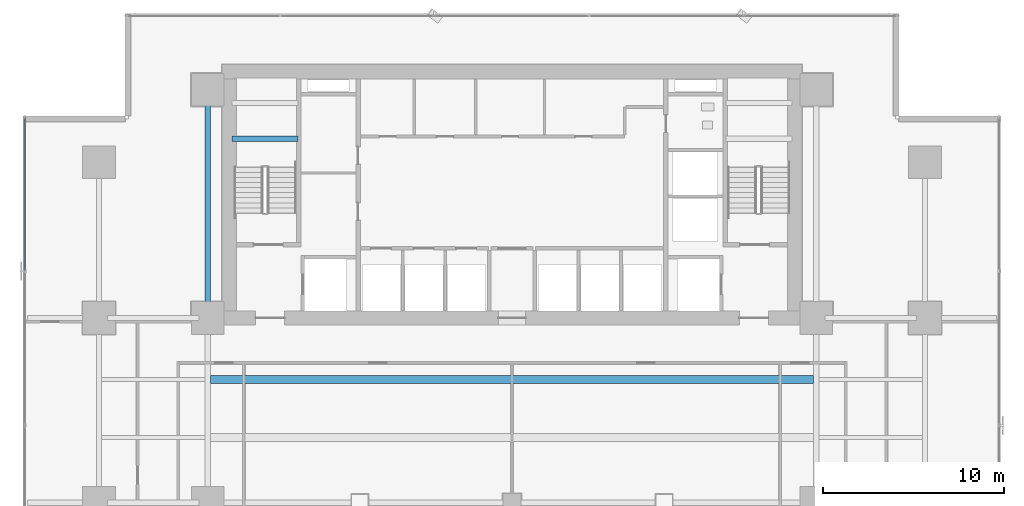
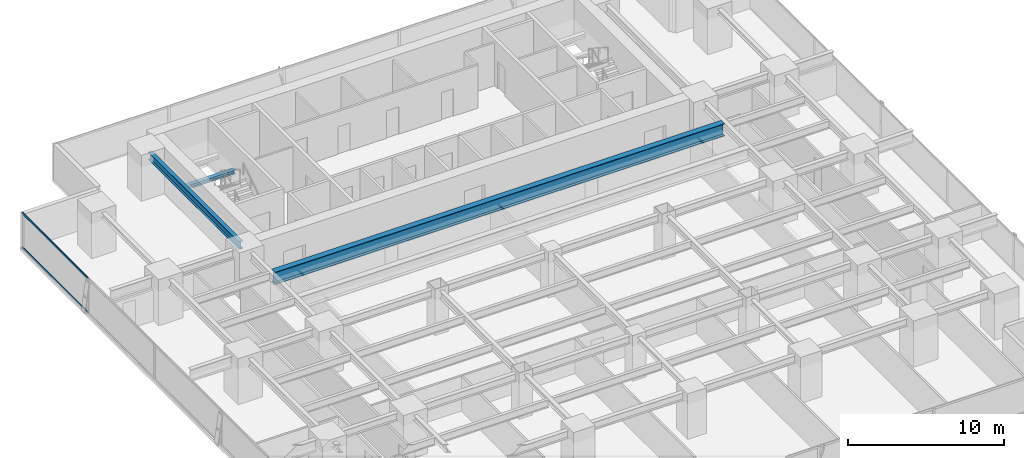
# One storey, part 17 of 33: 3 beams, 2 members, 1 element without a shape of its own.
"""IFC4 building model written with IfcOpenShell, lengths in metres."""

from ifc_helpers import new_model, si_unit, direction, frame, origin, origin_2d, place, context, subcontext, project, spatial, hollow_rectangle, i_section, extrude, source, transform, mapped, material, layer, layer_set, material_profile, profile_set, type_object, element, aggregate, save


model = new_model("IFC4")

# Units and contexts
model_context = context("Model", 3, precision=1e-05, world=origin(), true_north=direction((0.0, 1.0)))
body_context = subcontext(model_context, "Body", "Model", "MODEL_VIEW")
ifc_project = project(units=[si_unit("LENGTHUNIT", "METRE"), si_unit("AREAUNIT", "SQUARE_METRE"), si_unit("VOLUMEUNIT", "CUBIC_METRE"), si_unit("PLANEANGLEUNIT", "RADIAN"), si_unit("MASSUNIT", "GRAM", prefix="KILO")], contexts=[model_context])

# Site, building, storey
site_placement = place(None, origin())
site = spatial("IfcSite", under=ifc_project, at=site_placement, CompositionType="ELEMENT")
building_placement = place(site_placement, origin())
building = spatial("IfcBuilding", under=site, at=building_placement, Name="Sumidabori Civic Tower", CompositionType="ELEMENT")
storey_placement = place(building_placement, frame((0.0, 0.0, 38.0)))
storey = spatial("IfcBuildingStorey", under=building, at=storey_placement, Name="L09", CompositionType="ELEMENT", Elevation=38.0)

# Beams
ifc_material_1 = material(Name="Steel SN490", Category="steel")
ifc_material_profile_1 = material_profile(ifc_material_1, i_section(OverallWidth=0.300048828125, OverallDepth=0.300048828125, WebThickness=0.010986328125, FlangeThickness=0.01904296875, at=origin_2d()), Name="HE 300 B")
ifc_profile_set_1 = profile_set([ifc_material_profile_1], Name="Steel SN490")
beam_type_1 = type_object("IfcBeamType", Name="BM-LDG-300", PredefinedType="BEAM", material=ifc_profile_set_1)
shared_shape_1 = source(origin(), body_context, "Body", "SweptSolid", [
    extrude(i_section(OverallWidth=0.300048828125, OverallDepth=0.300048828125, WebThickness=0.010986328125, FlangeThickness=0.01904296875, at=origin_2d()), origin(), (0.0, 0.0, 1.0), 3.64990234375),
])
beam_1_placement = place(storey_placement, frame((-15.449951171875, 20.09765625, 1.449951171875), z_axis=(1.0, 0.0, 0.0), x_axis=(0.0, 1.0, 0.0)))
element("IfcBeam", 1, at=beam_1_placement, inside=storey, type_object=beam_type_1, Name="Stair ST-1 Landing Support Beam L09-1A", PredefinedType="BEAM", context=body_context, shape_type="MappedRepresentation", body=[
    mapped(shared_shape_1, transform((0.0, 0.0, 0.0), x_axis=(1.0, 0.0, 0.0), y_axis=(0.0, 1.0, 0.0), z_axis=(0.0, 0.0, 1.0), scale=1.0)),
])
ifc_material_profile_2 = material_profile(ifc_material_1, i_section(OverallWidth=0.300048828125, OverallDepth=0.60009765625, WebThickness=0.015380859375, FlangeThickness=0.030029296875, at=origin_2d()), Name="HE 600 B")
ifc_profile_set_2 = profile_set([ifc_material_profile_2], Name="Steel SN490")
beam_type_2 = type_object("IfcBeamType", Name="BM-GIRD-600", PredefinedType="BEAM", material=ifc_profile_set_2)
shared_shape_2 = source(origin(), body_context, "Body", "SweptSolid", [
    extrude(i_section(OverallWidth=0.300048828125, OverallDepth=0.60009765625, WebThickness=0.015380859375, FlangeThickness=0.030029296875, at=origin_2d()), origin(), (0.0, 0.0, 1.0), 11.64013671875),
])
beam_2_placement = place(storey_placement, frame((-16.800048828125, 10.679931640625, 3.06005859375), z_axis=(0.0, 1.0, 0.0), x_axis=(-1.0, 0.0, 0.0)))
element("IfcBeam", 2, at=beam_2_placement, inside=storey, type_object=beam_type_2, Name="Primary Girder L09 GY-28", PredefinedType="BEAM", context=body_context, shape_type="MappedRepresentation", body=[
    mapped(shared_shape_2, transform((0.0, 0.0, 0.0), x_axis=(1.0, 0.0, 0.0), y_axis=(0.0, 1.0, 0.0), z_axis=(0.0, 0.0, 1.0), scale=1.0)),
])
ifc_material_2 = material(Name="Steel SM570", Category="steel")
ifc_material_profile_3 = material_profile(ifc_material_2, i_section(OverallWidth=0.427978515625, OverallDepth=0.97509765625, WebThickness=0.02392578125, FlangeThickness=0.04296875, at=origin_2d()), Name="W36X395")
ifc_profile_set_3 = profile_set([ifc_material_profile_3], Name="Steel SM570")
beam_type_3 = type_object("IfcBeamType", Name="BM-HEAVY-W36B", PredefinedType="BEAM", material=ifc_profile_set_3)
shared_shape_3 = source(origin(), body_context, "Body", "SweptSolid", [
    extrude(i_section(OverallWidth=0.427978515625, OverallDepth=0.97509765625, WebThickness=0.02392578125, FlangeThickness=0.04296875, at=origin_2d()), origin(), (0.0, 0.0, 1.0), 33.2998046875),
])
beam_3_placement = place(storey_placement, frame((-16.64990234375, 6.800048828125, 2.87255859375), z_axis=(1.0, 0.0, 0.0), x_axis=(0.0, 1.0, 0.0)))
element("IfcBeam", 3, at=beam_3_placement, inside=storey, type_object=beam_type_3, Name="North Bay Floor Beam L09 JSTN-60", PredefinedType="BEAM", context=body_context, shape_type="MappedRepresentation", body=[
    mapped(shared_shape_3, transform((0.0, 0.0, 0.0), x_axis=(1.0, 0.0, 0.0), y_axis=(0.0, 1.0, 0.0), z_axis=(0.0, 0.0, 1.0), scale=1.0)),
])

# Curtain wall, members
ifc_material_3 = material(Name="Anodised Bronze Aluminium AW-6063-T6", Category="aluminium")
ifc_layer = layer(ifc_material_3, 0.179931640625, Name="Anodised Bronze Aluminium AW-6063-T6")
ifc_layer_set = layer_set([ifc_layer], Name="Anodised Bronze Aluminium AW-6063-T6")
curtain_wall_type = type_object("IfcCurtainWallType", Name="CW-SYS-2", PredefinedType="NOTDEFINED", material=ifc_layer_set)
curtain_wall_placement = place(storey_placement, origin())
curtain_wall = element("IfcCurtainWall", 4, at=curtain_wall_placement, inside=storey, type_object=curtain_wall_type, Name="Curtain Wall CW:L09:R10", PredefinedType="NOTDEFINED")
ifc_material_profile_4 = material_profile(ifc_material_3, hollow_rectangle(XDim=0.06494140625, YDim=0.14990234375, WallThickness=0.0048828125, at=origin_2d()), Name="ALU TRANSOM 150x65")
ifc_profile_set_4 = profile_set([ifc_material_profile_4], Name="Anodised Bronze Aluminium AW-6063-T6")
member_type = type_object("IfcMemberType", Name="CW-TRN-150", PredefinedType="USERDEFINED", material=ifc_profile_set_4)
shared_shape_4 = source(origin(), body_context, "Body", "SweptSolid", [
    extrude(hollow_rectangle(XDim=0.06494140625, YDim=0.14990234375, WallThickness=0.0048828125, at=origin_2d()), origin(), (0.0, 0.0, 1.0), 8.423095703125),
])
member_1_placement = place(storey_placement, frame((-26.8798828125, 21.25, 0.032470703125), z_axis=(0.0, -1.0, 0.0), x_axis=(1.0, 0.0, 0.0)))
member_1 = element("IfcMember", 5, at=member_1_placement, type_object=member_type, Name="CW-2 transom 1.1", ObjectType="TRANSOM", PredefinedType="USERDEFINED", context=body_context, shape_type="MappedRepresentation", body=[
    mapped(shared_shape_4, transform((0.0, 0.0, 0.0), x_axis=(1.0, 0.0, 0.0), y_axis=(0.0, 1.0, 0.0), z_axis=(0.0, 0.0, 1.0), scale=1.0)),
])
member_2_placement = place(storey_placement, frame((-26.8798828125, 21.25, 2.70751953125), z_axis=(0.0, -1.0, 0.0), x_axis=(1.0, 0.0, 0.0)))
member_2 = element("IfcMember", 6, at=member_2_placement, type_object=member_type, Name="CW-2 transom 1.2", ObjectType="TRANSOM", PredefinedType="USERDEFINED", context=body_context, shape_type="MappedRepresentation", body=[
    mapped(shared_shape_4, transform((0.0, 0.0, 0.0), x_axis=(1.0, 0.0, 0.0), y_axis=(0.0, 1.0, 0.0), z_axis=(0.0, 0.0, 1.0), scale=1.0)),
])
aggregate(curtain_wall, [member_1, member_2])

save(model, "model.ifc")
